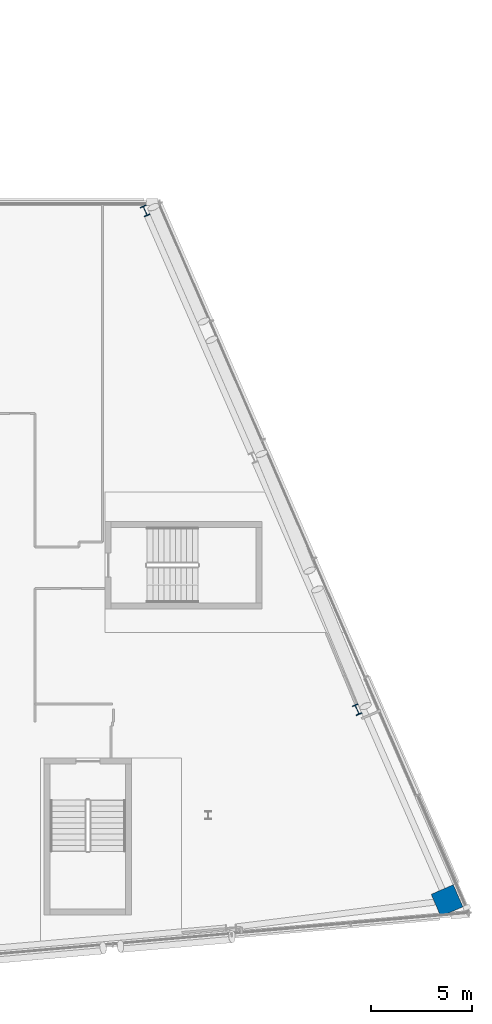
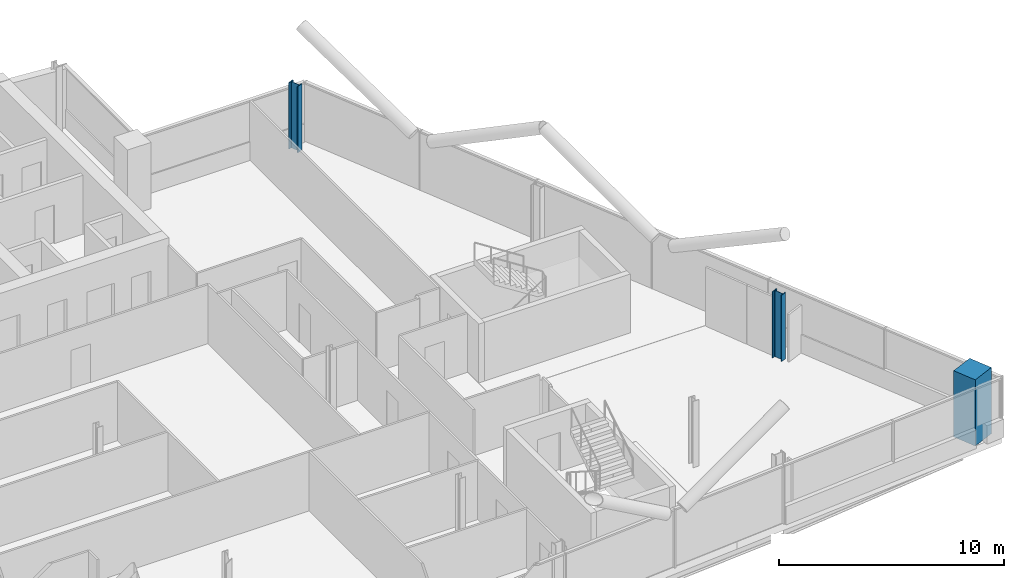
# One storey, part 4 of 27: 3 columns.
"""IFC4 building model written with IfcOpenShell, lengths in metres."""

import ifcopenshell
import ifcopenshell.guid

model = None  # the IFC model being written
_history = None  # IfcOwnerHistory: only IFC2X3 demands one
_inside = {}  # id of a spatial element -> (the spatial element, [elements in it])
_under = {}  # id of a project, library or spatial element -> (it, [spatial elements below it])
_declared = {}  # id of a project -> (the project, [libraries it declares])
_typed = {}  # id of a type object -> (the type object, [elements of that type])
_made_of = {}  # id of a material, layer set ... -> (it, [elements and type objects made of it])


def new_model(schema):
    """Start an empty IFC model of exactly this schema.

    Asked for "IFC4X3", IfcOpenShell would pick the latest addendum, in which some entities
    have other attributes; the version numbers below select the first issue.
    IFC2X3 requires an IfcOwnerHistory on every rooted entity: one is made here for all.
    """
    global model, _history
    if schema == "IFC4X3":
        model = ifcopenshell.file(schema_version=(4, 3, 0, 0))
    else:
        model = ifcopenshell.file(schema=schema)
    _inside.clear()
    _under.clear()
    _declared.clear()
    _typed.clear()
    _made_of.clear()
    _history = None
    if model.schema == "IFC2X3":
        org = make("IfcOrganization", Name="unknown")
        user = make(
            "IfcPersonAndOrganization",
            ThePerson=make("IfcPerson", FamilyName="unknown"),
            TheOrganization=org,
        )
        app = make(
            "IfcApplication",
            ApplicationDeveloper=org,
            Version="unknown",
            ApplicationFullName="unknown",
            ApplicationIdentifier="unknown",
        )
        _history = make(
            "IfcOwnerHistory",
            OwningUser=user,
            OwningApplication=app,
            ChangeAction="ADDED",
            CreationDate=0,
        )
    return model


def make(cls, **values):
    """One entity of the class cls with the attributes given. An attribute that is None is left unset."""
    return model.create_entity(
        cls, **{name: value for name, value in values.items() if value is not None}
    )


def rooted(cls, **values):
    """An entity with a GlobalId (a new one), such as an element, a storey or a relation."""
    return make(cls, GlobalId=ifcopenshell.guid.new(), OwnerHistory=_history, **values)


def si_unit(unit_type, name, prefix=None):
    """IfcSIUnit, for example si_unit("LENGTHUNIT", "METRE", prefix="MILLI")."""
    return make("IfcSIUnit", UnitType=unit_type, Prefix=prefix, Name=name)


def assignment(units):
    """IfcUnitAssignment: the units of a project."""
    return None if units is None else make("IfcUnitAssignment", Units=units)


def point(xyz):
    """IfcCartesianPoint."""
    return None if xyz is None else make("IfcCartesianPoint", Coordinates=xyz)


def direction(xyz):
    """IfcDirection."""
    return None if xyz is None else make("IfcDirection", DirectionRatios=xyz)


def frame(location, z_axis=None, x_axis=None):
    """IfcAxis2Placement3D, a coordinate frame: its origin and axes. An axis left out is left unset."""
    return make(
        "IfcAxis2Placement3D",
        Location=point(location),
        Axis=direction(z_axis),
        RefDirection=direction(x_axis),
    )


def frame_2d(location, x_axis=None):
    """IfcAxis2Placement2D, a coordinate frame in the plane: its origin and x axis."""
    return make(
        "IfcAxis2Placement2D", Location=point(location), RefDirection=direction(x_axis)
    )


def origin():
    """The frame at (0, 0, 0) with its axes left unset."""
    return frame((0.0, 0.0, 0.0))


def origin_2d():
    """The frame at (0, 0) in the plane with its x axis left unset."""
    return frame_2d((0.0, 0.0))


def place(relative_to, where):
    """IfcLocalPlacement: puts the frame where relative to a parent placement (None: the world)."""
    return make(
        "IfcLocalPlacement", PlacementRelTo=relative_to, RelativePlacement=where
    )


def context(
    kind, dimensions, precision=None, world=None, true_north=None, identifier=None
):
    """IfcGeometricRepresentationContext, for example the 3D "Model" context."""
    return make(
        "IfcGeometricRepresentationContext",
        ContextIdentifier=identifier,
        ContextType=kind,
        CoordinateSpaceDimension=dimensions,
        Precision=precision,
        WorldCoordinateSystem=world,
        TrueNorth=true_north,
    )


def subcontext(parent, identifier, kind, view, scale=None):
    """IfcGeometricRepresentationSubContext, for example "Body" below "Model"."""
    return make(
        "IfcGeometricRepresentationSubContext",
        ContextIdentifier=identifier,
        ContextType=kind,
        ParentContext=parent,
        TargetScale=scale,
        TargetView=view,
    )


def project(units=None, contexts=None):
    """IfcProject with its units and contexts."""
    return rooted(
        "IfcProject",
        Name="project",
        RepresentationContexts=contexts,
        UnitsInContext=assignment(units),
    )


def spatial(cls, under=None, at=None, **own):
    """A site, building, storey or space (cls), placed at a placement, below another one or the project."""
    s = rooted(cls, ObjectPlacement=at, **own)
    if under is not None:
        _under.setdefault(under.id(), (under, []))[1].append(s)
    return s


def profile(cls, at=None, kind="AREA", **sizes):
    """A parametric profile (cls). Its sizes go by their IFC names, for example OverallWidth=200.0."""
    return make(cls, ProfileType=kind, Position=at, **sizes)


def rectangle(**sizes):
    """IfcRectangleProfileDef."""
    return profile("IfcRectangleProfileDef", **sizes)


def i_section(**sizes):
    """IfcIShapeProfileDef."""
    return profile("IfcIShapeProfileDef", **sizes)


def extrude(swept, where, along, depth):
    """IfcExtrudedAreaSolid: the profile swept, set in the frame where, extruded along a direction by depth."""
    return make(
        "IfcExtrudedAreaSolid",
        SweptArea=swept,
        Position=where,
        ExtrudedDirection=direction(along),
        Depth=depth,
    )


def shape(context_of_items, identifier, shape_type, items):
    """IfcShapeRepresentation: the items that make up one representation, for example the "Body"."""
    return make(
        "IfcShapeRepresentation",
        ContextOfItems=context_of_items,
        RepresentationIdentifier=identifier,
        RepresentationType=shape_type,
        Items=items,
    )


def material(Name=None, Category=None):
    """IfcMaterial."""
    return make("IfcMaterial", Name=Name, Category=Category)


def material_profile(
    of_material, cross_section, Name=None, Category=None, Priority=None
):
    """IfcMaterialProfile: a cross section and its material."""
    return make(
        "IfcMaterialProfile",
        Name=Name,
        Material=of_material,
        Profile=cross_section,
        Priority=Priority,
        Category=Category,
    )


def profile_set(profiles, Name=None, composite=None):
    """IfcMaterialProfileSet."""
    return make(
        "IfcMaterialProfileSet",
        Name=Name,
        MaterialProfiles=profiles,
        CompositeProfile=composite,
    )


def made_of(thing, what):
    """Note that an element or type object is made of a material, layer set ...; save() writes the relation."""
    if what is not None:
        _made_of.setdefault(what.id(), (what, []))[1].append(thing)
    return thing


def type_object(cls, material=None, **own):
    """A type object (cls), such as IfcWallType, which elements share."""
    return made_of(rooted(cls, **own), material)


def element(
    cls,
    number,
    at=None,
    inside=None,
    cuts=None,
    type_object=None,
    material=None,
    context=None,
    identifier="Body",
    shape_type=None,
    held_by="IfcProductDefinitionShape",
    body=None,
    shapes=None,
    **own,
):
    """One element of the class cls, such as IfcWall. Its Tag is "e" and its number.

    at: its placement. inside: the storey or other place that contains it. cuts: it is an
    opening in that element (IfcRelVoidsElement). A single representation is given by context,
    identifier, shape_type and body (its items); several are given by shapes. held_by: the class
    of the entity that holds the representations. save() writes the other relations.
    """
    e = rooted(cls, Tag="e%d" % number, ObjectPlacement=at, **own)
    if body is not None:
        shapes = [shape(context, identifier, shape_type, body)]
    if shapes is not None:
        e.Representation = make(held_by, Representations=shapes)
    if inside is not None:
        _inside.setdefault(inside.id(), (inside, []))[1].append(e)
    if cuts is not None:
        rooted(
            "IfcRelVoidsElement", RelatingBuildingElement=cuts, RelatedOpeningElement=e
        )
    if type_object is not None:
        _typed.setdefault(type_object.id(), (type_object, []))[1].append(e)
    return made_of(e, material)


def aggregate(whole, parts):
    """IfcRelAggregates: a whole, such as a stair, and the parts it consists of."""
    return rooted("IfcRelAggregates", RelatingObject=whole, RelatedObjects=parts)


def save(model, path):
    """Write the relations noted so far, then the file.

    IfcRelAggregates (storeys below a building ...), IfcRelContainedInSpatialStructure (elements
    in a storey), IfcRelDefinesByType, IfcRelAssociatesMaterial and IfcRelDeclares: one each for
    every whole, place, type object, material and project.
    """
    for whole, parts in _under.values():
        aggregate(whole, parts)
    for where, things in _inside.values():
        rooted(
            "IfcRelContainedInSpatialStructure",
            RelatedElements=things,
            RelatingStructure=where,
        )
    for kind, things in _typed.values():
        rooted("IfcRelDefinesByType", RelatedObjects=things, RelatingType=kind)
    for what, things in _made_of.values():
        rooted("IfcRelAssociatesMaterial", RelatedObjects=things, RelatingMaterial=what)
    for by, libraries in _declared.values():
        rooted("IfcRelDeclares", RelatingContext=by, RelatedDefinitions=libraries)
    model.write(path)


model = new_model("IFC4")

# Units and contexts
model_context = context("Model", 3, precision=1e-05, world=origin(), true_north=direction((0.0, 1.0)))
body_context = subcontext(model_context, "Body", "Model", "MODEL_VIEW")
ifc_project = project(units=[si_unit("LENGTHUNIT", "METRE"), si_unit("AREAUNIT", "SQUARE_METRE"), si_unit("VOLUMEUNIT", "CUBIC_METRE"), si_unit("PLANEANGLEUNIT", "RADIAN"), si_unit("MASSUNIT", "GRAM", prefix="KILO")], contexts=[model_context])

# Site, building, storey
site_placement = place(None, origin())
site = spatial("IfcSite", under=ifc_project, at=site_placement, CompositionType="ELEMENT")
building_placement = place(site_placement, origin())
building = spatial("IfcBuilding", under=site, at=building_placement, Name="Wharfspan Tower", CompositionType="ELEMENT")
storey_placement = place(building_placement, frame((0.0, 0.0, 228.699951)))
storey = spatial("IfcBuildingStorey", under=building, at=storey_placement, Name="L57", CompositionType="ELEMENT", Elevation=228.699951)

# Columns
ifc_material_1 = material(Name="Steel S355J2", Category="steel")
ifc_material_profile_1 = material_profile(ifc_material_1, i_section(OverallWidth=0.305908, OverallDepth=0.523926, WebThickness=0.020996, FlangeThickness=0.040039, FilletRadius=0.0271, at=origin_2d()))
ifc_profile_set_1 = profile_set([ifc_material_profile_1], Name="Steel S355J2")
column_type_1 = type_object("IfcColumnType", Name="Column HEM 500", PredefinedType="COLUMN", material=ifc_profile_set_1)
for number, where, z_axis, x_axis, name in (
    (1, (79.409668, 16.761719, 0.0), (0.0, 0.0, 1.0), (0.917072, 0.398727, 0.0), "Perimeter column PE.1 L57"),
    (2, (68.867188, 41.572266, 0.0), (0.0, 0.0, 1.0), (0.917072, 0.398727, 0.0), "Perimeter column PE.3 L57"),
):
    element("IfcColumn", number, at=place(storey_placement, frame(where, z_axis=z_axis, x_axis=x_axis)), inside=storey, type_object=column_type_1, Name=name, PredefinedType="COLUMN", context=body_context, shape_type="SweptSolid", body=[
        extrude(i_section(OverallWidth=0.305908, OverallDepth=0.523926, WebThickness=0.020996, FlangeThickness=0.040039, FilletRadius=0.0271, at=origin_2d()), origin(), (0.0, 0.0, 1.0), 3.600098),
    ])
ifc_material_2 = material(Name="Concrete C50/60", Category="concrete")
ifc_material_profile_2 = material_profile(ifc_material_2, rectangle(XDim=1.199951, YDim=1.199951, at=origin_2d()))
ifc_profile_set_2 = profile_set([ifc_material_profile_2], Name="Concrete C50/60")
column_type_2 = type_object("IfcColumnType", Name="Mega column 1200 C50/60", PredefinedType="COLUMN", material=ifc_profile_set_2)
column_placement = place(storey_placement, frame((83.882812, 7.264648, 0.0), z_axis=(0.0, 0.0, 1.0), x_axis=(-0.398727, 0.917072, 0.0)))
element("IfcColumn", 3, at=column_placement, inside=storey, type_object=column_type_2, Name="Mega column MC4 L57", PredefinedType="COLUMN", context=body_context, shape_type="SweptSolid", body=[
    extrude(rectangle(XDim=1.199951, YDim=1.199951, at=origin_2d()), origin(), (0.0, 0.0, 1.0), 3.600098),
])

save(model, "model.ifc")
